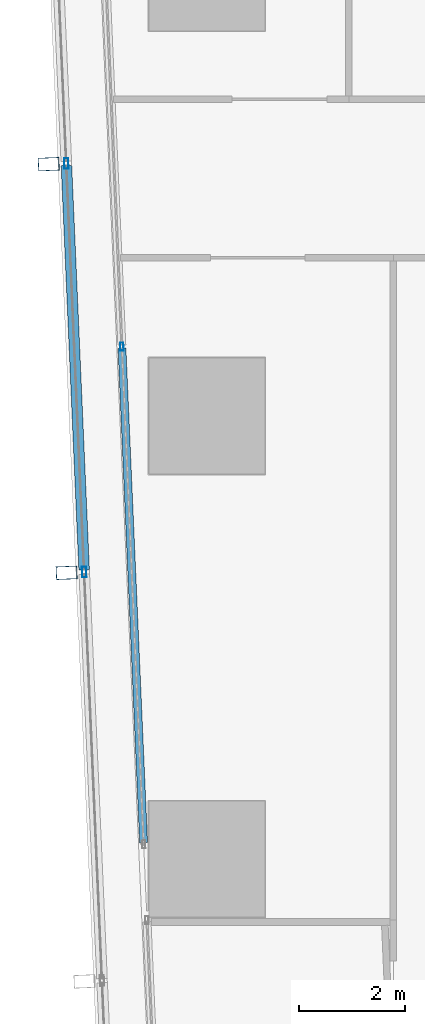
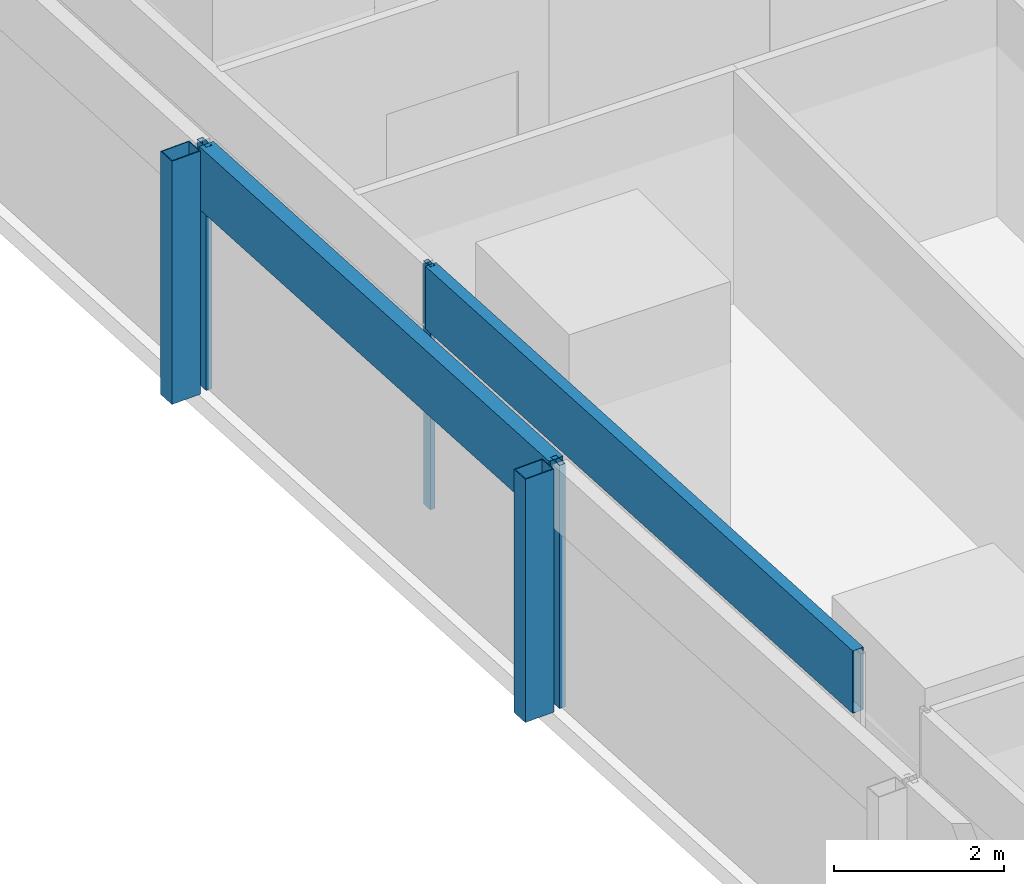
# One storey, part 7 of 45: 7 members, 2 elements without a shape of their own.
"""IFC4 building model written with IfcOpenShell, lengths in metres."""

from ifc_helpers import new_model, si_unit, direction, frame, origin, origin_2d, place, context, subcontext, project, spatial, hollow_rectangle, extrude, material, material_profile, profile_set, type_object, element, aggregate, save


model = new_model("IFC4")

# Units and contexts
model_context = context("Model", 3, precision=1e-05, world=origin(), true_north=direction((0.0, 1.0)))
body_context = subcontext(model_context, "Body", "Model", "MODEL_VIEW")
ifc_project = project(units=[si_unit("LENGTHUNIT", "METRE"), si_unit("AREAUNIT", "SQUARE_METRE"), si_unit("VOLUMEUNIT", "CUBIC_METRE"), si_unit("PLANEANGLEUNIT", "RADIAN"), si_unit("MASSUNIT", "GRAM", prefix="KILO")], contexts=[model_context])

# Site, building, storey
site_placement = place(None, origin())
site = spatial("IfcSite", under=ifc_project, at=site_placement, CompositionType="ELEMENT")
building_placement = place(site_placement, origin())
building = spatial("IfcBuilding", under=site, at=building_placement, Name="Rekha Terrace Tower", CompositionType="ELEMENT")
storey_placement = place(building_placement, frame((0.0, 0.0, 32.89990234375)))
storey = spatial("IfcBuildingStorey", under=building, at=storey_placement, Name="L07", CompositionType="ELEMENT", Elevation=32.89990234375)

# Curtain wall, members
ifc_material_1 = material(Name="Aluminium framing", Category="aluminium")
curtain_wall_type_1 = type_object("IfcCurtainWallType", Name="CW2 double skin outer glazing", PredefinedType="USERDEFINED", material=ifc_material_1)
curtain_wall_1_placement = place(storey_placement, origin())
curtain_wall_1 = element("IfcCurtainWall", 1, at=curtain_wall_1_placement, inside=storey, type_object=curtain_wall_type_1, Name="CW2 double skin outer glazing", ObjectType="DOUBLE SKIN OUTER GLAZING", PredefinedType="USERDEFINED")
ifc_material_2 = material(Name="Steel S355 with fluorocarbon finish", Category="steel")
ifc_material_profile_1 = material_profile(ifc_material_2, hollow_rectangle(XDim=0.25, YDim=0.39990234375, WallThickness=0.012451171875, at=origin_2d()), Name="RHS400x250x12.5")
ifc_profile_set_1 = profile_set([ifc_material_profile_1], Name="Steel S355 with fluorocarbon finish")
member_type_1 = type_object("IfcMemberType", Name="BL1 facade blade RHS 400 x 250", PredefinedType="USERDEFINED", material=ifc_profile_set_1)
member_1_placement = place(storey_placement, frame((5.40283203125, 29.97119140625, 0.0), z_axis=(0.0, 0.0, 1.0), x_axis=(0.04368215933, -0.999045478923, 0.0)))
member_1 = element("IfcMember", 2, at=member_1_placement, type_object=member_type_1, Name="Facade blade", ObjectType="FACADE BLADE", PredefinedType="USERDEFINED", context=body_context, shape_type="SweptSolid", body=[
    extrude(hollow_rectangle(XDim=0.25, YDim=0.39990234375, WallThickness=0.012451171875, at=origin_2d()), origin(), (0.0, 0.0, 1.0), 3.5),
])
member_2_placement = place(storey_placement, frame((5.74169921875, 22.226806640625, 0.0), z_axis=(0.0, 0.0, 1.0), x_axis=(0.04368215933, -0.999045478923, 0.0)))
member_2 = element("IfcMember", 3, at=member_2_placement, type_object=member_type_1, Name="Facade blade", ObjectType="FACADE BLADE", PredefinedType="USERDEFINED", context=body_context, shape_type="SweptSolid", body=[
    extrude(hollow_rectangle(XDim=0.25, YDim=0.39990234375, WallThickness=0.012451171875, at=origin_2d()), origin(), (0.0, 0.0, 1.0), 3.5),
])

curtain_wall_type_2 = type_object("IfcCurtainWallType", Name="CW1 double skin inner glazing", PredefinedType="USERDEFINED", material=ifc_material_1)
curtain_wall_2_placement = place(storey_placement, origin())
curtain_wall_2 = element("IfcCurtainWall", 4, at=curtain_wall_2_placement, inside=storey, type_object=curtain_wall_type_2, Name="CW1 double skin inner glazing", ObjectType="DOUBLE SKIN INNER GLAZING", PredefinedType="USERDEFINED")
ifc_material_3 = material(Name="Aluminium mullion section", Category="aluminium")
ifc_material_profile_2 = material_profile(ifc_material_3, hollow_rectangle(XDim=0.06494140625, YDim=0.14990234375, WallThickness=0.00390625, at=origin_2d()), Name="AL RHS 65x150")
ifc_profile_set_2 = profile_set([ifc_material_profile_2], Name="Aluminium mullion section")
member_type_2 = type_object("IfcMemberType", Name="CW1 mullion RHS 65 x 150", PredefinedType="MULLION", material=ifc_profile_set_2)
member_3_placement = place(storey_placement, frame((6.790283203125, 26.5126953125, 0.0), z_axis=(0.0, 0.0, 1.0), x_axis=(0.999045462133, 0.043682543337, 0.0)))
member_3 = element("IfcMember", 5, at=member_3_placement, type_object=member_type_2, Name="CW1 mullion 3", PredefinedType="MULLION", context=body_context, shape_type="SweptSolid", body=[
    extrude(hollow_rectangle(XDim=0.06494140625, YDim=0.14990234375, WallThickness=0.00390625, at=origin_2d()), origin(), (0.0, 0.0, 1.0), 3.5),
])
ifc_material_4 = material(Name="Insulated aluminium spandrel box", Category="aluminium")
ifc_material_profile_3 = material_profile(ifc_material_4, hollow_rectangle(XDim=0.14990234375, YDim=0.89990234375, WallThickness=0.0029296875, at=origin_2d()), Name="AL SPANDREL BOX 150x900")
ifc_profile_set_3 = profile_set([ifc_material_profile_3], Name="Insulated aluminium spandrel box")
member_type_3 = type_object("IfcMemberType", Name="CW1 spandrel transom 150 x 900", PredefinedType="USERDEFINED", material=ifc_profile_set_3)
member_4_placement = place(storey_placement, frame((6.791748046875, 26.480224609375, 3.050048828125), z_axis=(0.043688050697, -0.999045221312, 0.0), x_axis=(0.999045221312, 0.043688050697, 0.0)))
member_4 = element("IfcMember", 6, at=member_4_placement, type_object=member_type_3, Name="CW1 spandrel transom 3", ObjectType="TRANSOM", PredefinedType="USERDEFINED", context=body_context, shape_type="SweptSolid", body=[
    extrude(hollow_rectangle(XDim=0.14990234375, YDim=0.89990234375, WallThickness=0.0029296875, at=origin_2d()), origin(), (0.0, 0.0, 1.0), 9.377197265625),
])
aggregate(curtain_wall_2, [member_3, member_4])

# Member
ifc_material_profile_4 = material_profile(ifc_material_3, hollow_rectangle(XDim=0.080078125, YDim=0.199951171875, WallThickness=0.00390625, at=origin_2d()), Name="AL RHS 80x200")
ifc_profile_set_4 = profile_set([ifc_material_profile_4], Name="Aluminium mullion section")
member_type_4 = type_object("IfcMemberType", Name="CW2 mullion RHS 80 x 200", PredefinedType="MULLION", material=ifc_profile_set_4)
member_5_placement = place(storey_placement, frame((5.737548828125, 29.98583984375, 0.0), z_axis=(0.0, 0.0, 1.0), x_axis=(0.999045462131, 0.043682543372, 0.0)))
member_5 = element("IfcMember", 7, at=member_5_placement, type_object=member_type_4, Name="CW2 mullion 3", PredefinedType="MULLION", context=body_context, shape_type="SweptSolid", body=[
    extrude(hollow_rectangle(XDim=0.080078125, YDim=0.199951171875, WallThickness=0.00390625, at=origin_2d()), origin(), (0.0, 0.0, 1.0), 3.5),
])

member_6_placement = place(storey_placement, frame((6.076171875, 22.241455078125, 0.0), z_axis=(0.0, 0.0, 1.0), x_axis=(0.999045462131, 0.043682543372, 0.0)))
member_6 = element("IfcMember", 8, at=member_6_placement, type_object=member_type_4, Name="CW2 mullion 4", PredefinedType="MULLION", context=body_context, shape_type="SweptSolid", body=[
    extrude(hollow_rectangle(XDim=0.080078125, YDim=0.199951171875, WallThickness=0.00390625, at=origin_2d()), origin(), (0.0, 0.0, 1.0), 3.5),
])

ifc_material_profile_5 = material_profile(ifc_material_4, hollow_rectangle(XDim=0.199951171875, YDim=0.89990234375, WallThickness=0.0029296875, at=origin_2d()), Name="AL SPANDREL BOX 200x900")
ifc_profile_set_5 = profile_set([ifc_material_profile_5], Name="Insulated aluminium spandrel box")
member_type_5 = type_object("IfcMemberType", Name="CW2 spandrel transom 200 x 900", PredefinedType="USERDEFINED", material=ifc_profile_set_5)
member_7_placement = place(storey_placement, frame((5.7392578125, 29.94580078125, 3.050048828125), z_axis=(0.04369270591, -0.99904501773, 0.0), x_axis=(0.99904501773, 0.04369270591, 0.0)))
member_7 = element("IfcMember", 9, at=member_7_placement, type_object=member_type_5, Name="CW2 spandrel transom 3", ObjectType="TRANSOM", PredefinedType="USERDEFINED", context=body_context, shape_type="SweptSolid", body=[
    extrude(hollow_rectangle(XDim=0.199951171875, YDim=0.89990234375, WallThickness=0.0029296875, at=origin_2d()), origin(), (0.0, 0.0, 1.0), 7.671875),
])

aggregate(curtain_wall_1, [member_5, member_6, member_7, member_1, member_2])

save(model, "model.ifc")
